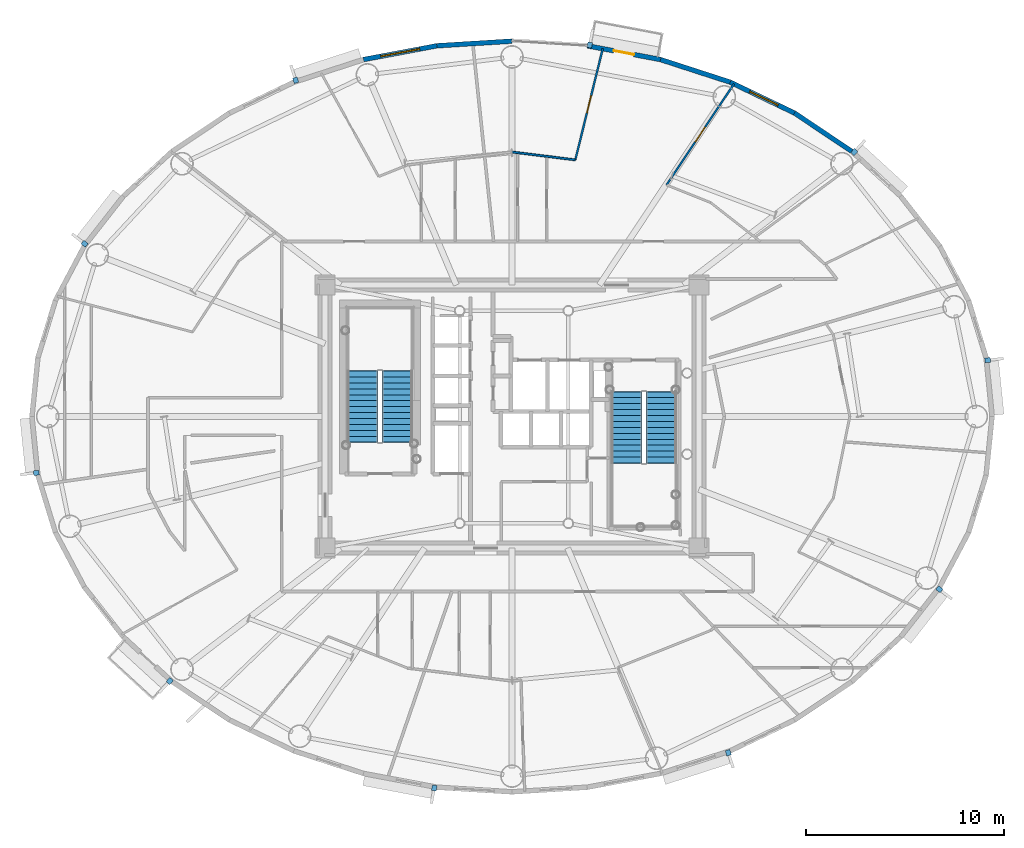
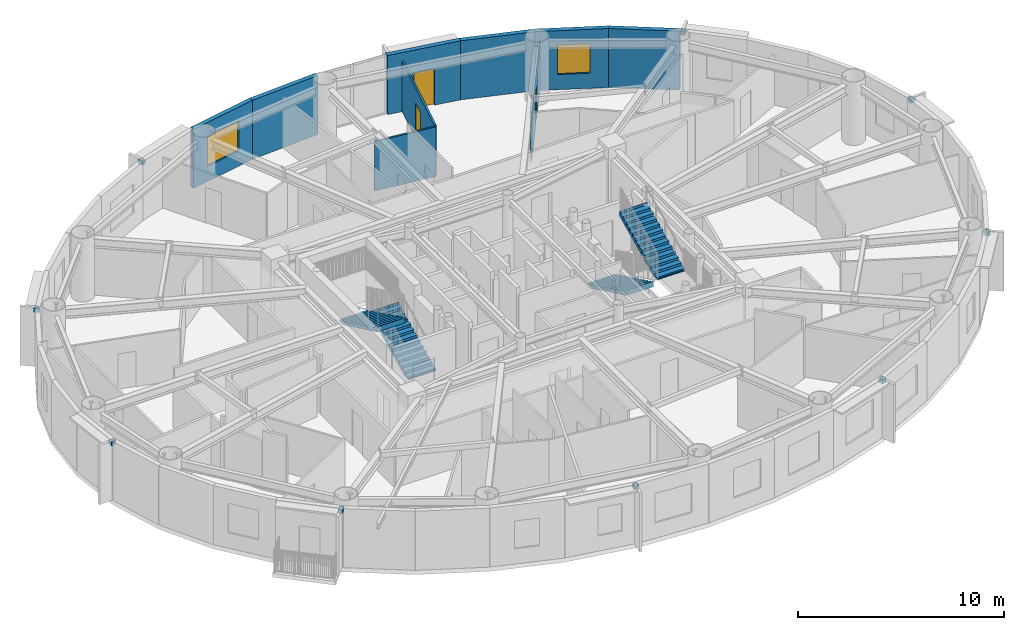
# One storey, part 13 of 20: 10 discrete accessories, 9 walls, 4 stair flights, 3 doors, 2 windows, 5 openings, 2 elements without a shape of their own.
"""IFC4 building model written with IfcOpenShell, lengths in metres."""

import ifcopenshell
import ifcopenshell.guid

model = None  # the IFC model being written
_history = None  # IfcOwnerHistory: only IFC2X3 demands one
_inside = {}  # id of a spatial element -> (the spatial element, [elements in it])
_under = {}  # id of a project, library or spatial element -> (it, [spatial elements below it])
_declared = {}  # id of a project -> (the project, [libraries it declares])
_typed = {}  # id of a type object -> (the type object, [elements of that type])
_made_of = {}  # id of a material, layer set ... -> (it, [elements and type objects made of it])


def new_model(schema):
    """Start an empty IFC model of exactly this schema.

    Asked for "IFC4X3", IfcOpenShell would pick the latest addendum, in which some entities
    have other attributes; the version numbers below select the first issue.
    IFC2X3 requires an IfcOwnerHistory on every rooted entity: one is made here for all.
    """
    global model, _history
    if schema == "IFC4X3":
        model = ifcopenshell.file(schema_version=(4, 3, 0, 0))
    else:
        model = ifcopenshell.file(schema=schema)
    _inside.clear()
    _under.clear()
    _declared.clear()
    _typed.clear()
    _made_of.clear()
    _history = None
    if model.schema == "IFC2X3":
        org = make("IfcOrganization", Name="unknown")
        user = make(
            "IfcPersonAndOrganization",
            ThePerson=make("IfcPerson", FamilyName="unknown"),
            TheOrganization=org,
        )
        app = make(
            "IfcApplication",
            ApplicationDeveloper=org,
            Version="unknown",
            ApplicationFullName="unknown",
            ApplicationIdentifier="unknown",
        )
        _history = make(
            "IfcOwnerHistory",
            OwningUser=user,
            OwningApplication=app,
            ChangeAction="ADDED",
            CreationDate=0,
        )
    return model


def make(cls, **values):
    """One entity of the class cls with the attributes given. An attribute that is None is left unset."""
    return model.create_entity(
        cls, **{name: value for name, value in values.items() if value is not None}
    )


def rooted(cls, **values):
    """An entity with a GlobalId (a new one), such as an element, a storey or a relation."""
    return make(cls, GlobalId=ifcopenshell.guid.new(), OwnerHistory=_history, **values)


def si_unit(unit_type, name, prefix=None):
    """IfcSIUnit, for example si_unit("LENGTHUNIT", "METRE", prefix="MILLI")."""
    return make("IfcSIUnit", UnitType=unit_type, Prefix=prefix, Name=name)


def assignment(units):
    """IfcUnitAssignment: the units of a project."""
    return None if units is None else make("IfcUnitAssignment", Units=units)


def point(xyz):
    """IfcCartesianPoint."""
    return None if xyz is None else make("IfcCartesianPoint", Coordinates=xyz)


def direction(xyz):
    """IfcDirection."""
    return None if xyz is None else make("IfcDirection", DirectionRatios=xyz)


def frame(location, z_axis=None, x_axis=None):
    """IfcAxis2Placement3D, a coordinate frame: its origin and axes. An axis left out is left unset."""
    return make(
        "IfcAxis2Placement3D",
        Location=point(location),
        Axis=direction(z_axis),
        RefDirection=direction(x_axis),
    )


def frame_2d(location, x_axis=None):
    """IfcAxis2Placement2D, a coordinate frame in the plane: its origin and x axis."""
    return make(
        "IfcAxis2Placement2D", Location=point(location), RefDirection=direction(x_axis)
    )


def origin():
    """The frame at (0, 0, 0) with its axes left unset."""
    return frame((0.0, 0.0, 0.0))


def origin_2d():
    """The frame at (0, 0) in the plane with its x axis left unset."""
    return frame_2d((0.0, 0.0))


def place(relative_to, where):
    """IfcLocalPlacement: puts the frame where relative to a parent placement (None: the world)."""
    return make(
        "IfcLocalPlacement", PlacementRelTo=relative_to, RelativePlacement=where
    )


def context(
    kind, dimensions, precision=None, world=None, true_north=None, identifier=None
):
    """IfcGeometricRepresentationContext, for example the 3D "Model" context."""
    return make(
        "IfcGeometricRepresentationContext",
        ContextIdentifier=identifier,
        ContextType=kind,
        CoordinateSpaceDimension=dimensions,
        Precision=precision,
        WorldCoordinateSystem=world,
        TrueNorth=true_north,
    )


def subcontext(parent, identifier, kind, view, scale=None):
    """IfcGeometricRepresentationSubContext, for example "Body" below "Model"."""
    return make(
        "IfcGeometricRepresentationSubContext",
        ContextIdentifier=identifier,
        ContextType=kind,
        ParentContext=parent,
        TargetScale=scale,
        TargetView=view,
    )


def project(units=None, contexts=None):
    """IfcProject with its units and contexts."""
    return rooted(
        "IfcProject",
        Name="project",
        RepresentationContexts=contexts,
        UnitsInContext=assignment(units),
    )


def spatial(cls, under=None, at=None, **own):
    """A site, building, storey or space (cls), placed at a placement, below another one or the project."""
    s = rooted(cls, ObjectPlacement=at, **own)
    if under is not None:
        _under.setdefault(under.id(), (under, []))[1].append(s)
    return s


def polyline(points):
    """IfcPolyline through the points."""
    return make("IfcPolyline", Points=[point(p) for p in points])


def profile(cls, at=None, kind="AREA", **sizes):
    """A parametric profile (cls). Its sizes go by their IFC names, for example OverallWidth=200.0."""
    return make(cls, ProfileType=kind, Position=at, **sizes)


def rectangle(**sizes):
    """IfcRectangleProfileDef."""
    return profile("IfcRectangleProfileDef", **sizes)


def outline(outer, holes=None, kind="AREA"):
    """IfcArbitraryClosedProfileDef: a profile drawn as a closed curve; with holes, ...WithVoids."""
    if holes is None:
        return make("IfcArbitraryClosedProfileDef", ProfileType=kind, OuterCurve=outer)
    return make(
        "IfcArbitraryProfileDefWithVoids",
        ProfileType=kind,
        OuterCurve=outer,
        InnerCurves=holes,
    )


def extrude(swept, where, along, depth):
    """IfcExtrudedAreaSolid: the profile swept, set in the frame where, extruded along a direction by depth."""
    return make(
        "IfcExtrudedAreaSolid",
        SweptArea=swept,
        Position=where,
        ExtrudedDirection=direction(along),
        Depth=depth,
    )


def shape(context_of_items, identifier, shape_type, items):
    """IfcShapeRepresentation: the items that make up one representation, for example the "Body"."""
    return make(
        "IfcShapeRepresentation",
        ContextOfItems=context_of_items,
        RepresentationIdentifier=identifier,
        RepresentationType=shape_type,
        Items=items,
    )


def source(mapping_origin, context_of_items, identifier, shape_type, items):
    """IfcRepresentationMap: a shape defined once, which mapped items show again and again."""
    return make(
        "IfcRepresentationMap",
        MappingOrigin=mapping_origin,
        MappedRepresentation=shape(context_of_items, identifier, shape_type, items),
    )


def transform(
    local_origin,
    x_axis=None,
    y_axis=None,
    z_axis=None,
    scale=None,
    scale2=None,
    scale3=None,
    uniform=True,
):
    """IfcCartesianTransformationOperator3D, or its non-uniform kind. x_axis, y_axis, z_axis: its Axis1, 2, 3."""
    if uniform:
        return make(
            "IfcCartesianTransformationOperator3D",
            Axis1=direction(x_axis),
            Axis2=direction(y_axis),
            LocalOrigin=point(local_origin),
            Scale=scale,
            Axis3=direction(z_axis),
        )
    return make(
        "IfcCartesianTransformationOperator3DnonUniform",
        Axis1=direction(x_axis),
        Axis2=direction(y_axis),
        LocalOrigin=point(local_origin),
        Scale=scale,
        Axis3=direction(z_axis),
        Scale2=scale2,
        Scale3=scale3,
    )


def mapped(mapping_source, mapping_target):
    """IfcMappedItem: shows the shape of a source again, moved by a transform."""
    return make(
        "IfcMappedItem", MappingSource=mapping_source, MappingTarget=mapping_target
    )


def material(Name=None, Category=None):
    """IfcMaterial."""
    return make("IfcMaterial", Name=Name, Category=Category)


def layer(
    of_material, thickness, ventilated=None, Name=None, Category=None, Priority=None
):
    """IfcMaterialLayer: one layer of a wall or slab, of a material (None: an air gap)."""
    return make(
        "IfcMaterialLayer",
        Material=of_material,
        LayerThickness=thickness,
        IsVentilated=ventilated,
        Name=Name,
        Category=Category,
        Priority=Priority,
    )


def layer_set(layers, Name=None):
    """IfcMaterialLayerSet."""
    return make("IfcMaterialLayerSet", MaterialLayers=layers, LayerSetName=Name)


def made_of(thing, what):
    """Note that an element or type object is made of a material, layer set ...; save() writes the relation."""
    if what is not None:
        _made_of.setdefault(what.id(), (what, []))[1].append(thing)
    return thing


def type_object(cls, material=None, **own):
    """A type object (cls), such as IfcWallType, which elements share."""
    return made_of(rooted(cls, **own), material)


def element(
    cls,
    number,
    at=None,
    inside=None,
    cuts=None,
    type_object=None,
    material=None,
    context=None,
    identifier="Body",
    shape_type=None,
    held_by="IfcProductDefinitionShape",
    body=None,
    shapes=None,
    **own,
):
    """One element of the class cls, such as IfcWall. Its Tag is "e" and its number.

    at: its placement. inside: the storey or other place that contains it. cuts: it is an
    opening in that element (IfcRelVoidsElement). A single representation is given by context,
    identifier, shape_type and body (its items); several are given by shapes. held_by: the class
    of the entity that holds the representations. save() writes the other relations.
    """
    e = rooted(cls, Tag="e%d" % number, ObjectPlacement=at, **own)
    if body is not None:
        shapes = [shape(context, identifier, shape_type, body)]
    if shapes is not None:
        e.Representation = make(held_by, Representations=shapes)
    if inside is not None:
        _inside.setdefault(inside.id(), (inside, []))[1].append(e)
    if cuts is not None:
        rooted(
            "IfcRelVoidsElement", RelatingBuildingElement=cuts, RelatedOpeningElement=e
        )
    if type_object is not None:
        _typed.setdefault(type_object.id(), (type_object, []))[1].append(e)
    return made_of(e, material)


def fill(opening, filler):
    """IfcRelFillsElement: the door or window that sits in an opening."""
    return rooted(
        "IfcRelFillsElement",
        RelatingOpeningElement=opening,
        RelatedBuildingElement=filler,
    )


def aggregate(whole, parts):
    """IfcRelAggregates: a whole, such as a stair, and the parts it consists of."""
    return rooted("IfcRelAggregates", RelatingObject=whole, RelatedObjects=parts)


def save(model, path):
    """Write the relations noted so far, then the file.

    IfcRelAggregates (storeys below a building ...), IfcRelContainedInSpatialStructure (elements
    in a storey), IfcRelDefinesByType, IfcRelAssociatesMaterial and IfcRelDeclares: one each for
    every whole, place, type object, material and project.
    """
    for whole, parts in _under.values():
        aggregate(whole, parts)
    for where, things in _inside.values():
        rooted(
            "IfcRelContainedInSpatialStructure",
            RelatedElements=things,
            RelatingStructure=where,
        )
    for kind, things in _typed.values():
        rooted("IfcRelDefinesByType", RelatedObjects=things, RelatingType=kind)
    for what, things in _made_of.values():
        rooted("IfcRelAssociatesMaterial", RelatedObjects=things, RelatingMaterial=what)
    for by, libraries in _declared.values():
        rooted("IfcRelDeclares", RelatingContext=by, RelatedDefinitions=libraries)
    model.write(path)


model = new_model("IFC4")

# Units and contexts
model_context = context("Model", 3, precision=1e-05, world=origin(), true_north=direction((0.0, 1.0)))
body_context = subcontext(model_context, "Body", "Model", "MODEL_VIEW")
ifc_project = project(units=[si_unit("LENGTHUNIT", "METRE"), si_unit("AREAUNIT", "SQUARE_METRE"), si_unit("VOLUMEUNIT", "CUBIC_METRE"), si_unit("PLANEANGLEUNIT", "RADIAN"), si_unit("MASSUNIT", "GRAM", prefix="KILO")], contexts=[model_context])

# Site, building, storey
site_placement = place(None, origin())
site = spatial("IfcSite", under=ifc_project, at=site_placement, CompositionType="ELEMENT")
building_placement = place(site_placement, origin())
building = spatial("IfcBuilding", under=site, at=building_placement, Name="Linh Dai School and Residence Tower", CompositionType="ELEMENT")
storey_placement = place(building_placement, frame((0.0, 0.0, 232.800048828125)))
storey = spatial("IfcBuildingStorey", under=building, at=storey_placement, Name="L57", CompositionType="ELEMENT", Elevation=232.800048828125)

# Wall
ifc_material_1 = material(Name="Precast Concrete B45 (C35/45)", Category="concrete")
ifc_layer_1 = layer(ifc_material_1, 0.239990234375)
ifc_layer_set_1 = layer_set([ifc_layer_1], Name="Precast Concrete B45 (C35/45)")
wall_type_1 = type_object("IfcWallType", Name="EW-TC-240", PredefinedType="SOLIDWALL", material=ifc_layer_set_1)
wall_1_placement = place(storey_placement, frame((50.280029296875, 42.34765625, 0.0), z_axis=(0.0, 0.0, 1.0), x_axis=(0.831262496074, -0.555880079352, 0.0)))
element("IfcWall", 1, at=wall_1_placement, inside=storey, type_object=wall_type_1, Name="L57 Terracotta Exterior Wall 06", PredefinedType="SOLIDWALL", context=body_context, shape_type="SweptSolid", body=[
    extrude(rectangle(XDim=3.484130859375, YDim=0.239990234375, at=frame_2d((1.7421875, 0.0))), origin(), (0.0, 0.0, 1.0), 3.5),
])

# Wall, opening, window
wall_2_placement = place(storey_placement, frame((47.031005859375, 43.906494140625, 0.0), z_axis=(0.0, 0.0, 1.0), x_axis=(0.901598104751, -0.432574684313, 0.0)))
wall_2 = element("IfcWall", 2, at=wall_2_placement, inside=storey, type_object=wall_type_1, Name="L57 Terracotta Exterior Wall 07", PredefinedType="SOLIDWALL", context=body_context, shape_type="SweptSolid", body=[
    extrude(rectangle(XDim=3.603515625, YDim=0.239990234375, at=frame_2d((1.8017578125, 0.0))), origin(), (0.0, 0.0, 1.0), 3.5),
])
opening_1_placement = place(wall_2_placement, frame((1.093994140625, 0.0, 0.89990234375)))
opening_1 = element("IfcOpeningElement", 3, at=opening_1_placement, cuts=wall_2, Name="Opening W2", PredefinedType="OPENING", context=body_context, shape_type="SweptSolid", body=[
    extrude(rectangle(XDim=1.60009765625, YDim=1.75, at=origin_2d()), frame((0.800048828125, 0.1298828125, 0.875), z_axis=(0.0, -1.0, 0.0), x_axis=(1.0, 0.0, 0.0)), (0.0, 0.0, 1.0), 0.260009765625),
])
ifc_material_2 = material(Name="Double Low-E Insulated Glazing", Category="glass")
window_type_1 = type_object("IfcWindowType", Name="WN-RES-1600x1750", PartitioningType="DOUBLE_PANEL_VERTICAL", PredefinedType="WINDOW", material=ifc_material_2)
shared_shape_1 = source(origin(), body_context, "Body", "SweptSolid", [
    extrude(rectangle(XDim=1.60009765625, YDim=1.75, at=origin_2d()), frame((0.800048828125, 0.030029296875, 0.875), z_axis=(0.0, -1.0, 0.0), x_axis=(1.0, 0.0, 0.0)), (0.0, 0.0, 1.0), 0.06005859375),
])
window_1_placement = place(opening_1_placement, origin())
window_1 = element("IfcWindow", 4, at=window_1_placement, inside=storey, type_object=window_type_1, Name="L57 Exterior Window 07.1", OverallHeight=1.75, OverallWidth=1.60009765625, PartitioningType="DOUBLE_PANEL_VERTICAL", PredefinedType="WINDOW", context=body_context, shape_type="MappedRepresentation", body=[
    mapped(shared_shape_1, transform((0.0, 0.0, 0.0), x_axis=(1.0, 0.0, 0.0), y_axis=(0.0, 1.0, 0.0), z_axis=(0.0, 0.0, 1.0), scale=1.0)),
])
fill(opening_1, window_1)

# Wall
wall_3_placement = place(storey_placement, frame((43.50927734375, 45.048828125, 0.0), z_axis=(0.0, 0.0, 1.0), x_axis=(0.951210789182, -0.308541787354, 0.0)))
element("IfcWall", 5, at=wall_3_placement, inside=storey, type_object=wall_type_1, Name="L57 Terracotta Exterior Wall 08", PredefinedType="SOLIDWALL", context=body_context, shape_type="SweptSolid", body=[
    extrude(rectangle(XDim=3.702392578125, YDim=0.239990234375, at=frame_2d((1.85107421875, 0.0))), origin(), (0.0, 0.0, 1.0), 3.5),
])

# Wall, opening, door
wall_4_placement = place(storey_placement, frame((39.801513671875, 45.745849609375, 0.0), z_axis=(0.0, 0.0, 1.0), x_axis=(0.982784898575, -0.184753465822, 0.0)))
wall_4 = element("IfcWall", 6, at=wall_4_placement, inside=storey, type_object=wall_type_1, Name="L57 Terracotta Exterior Wall 09", PredefinedType="SOLIDWALL", context=body_context, shape_type="SweptSolid", body=[
    extrude(rectangle(XDim=3.772705078125, YDim=0.239990234375, at=frame_2d((1.88623046875, 0.0))), origin(), (0.0, 0.0, 1.0), 3.5),
])
opening_2_placement = place(wall_4_placement, frame((1.361328125, 0.0, 0.0)))
opening_2 = element("IfcOpeningElement", 7, at=opening_2_placement, cuts=wall_4, Name="Opening BD1", PredefinedType="OPENING", context=body_context, shape_type="SweptSolid", body=[
    extrude(rectangle(XDim=1.050048828125, YDim=2.14990234375, at=origin_2d()), frame((0.52490234375, 0.1298828125, 1.074951171875), z_axis=(0.0, -1.0, 0.0), x_axis=(1.0, 0.0, 0.0)), (0.0, 0.0, 1.0), 0.260009765625),
])
ifc_material_3 = material(Name="Double-Glazed Balcony Door", Category="glass")
door_type_1 = type_object("IfcDoorType", Name="DR-BALC-1050x2150", OperationType="NOTDEFINED", PredefinedType="DOOR", material=ifc_material_3)
shared_shape_2 = source(origin(), body_context, "Body", "SweptSolid", [
    extrude(rectangle(XDim=1.050048828125, YDim=2.14990234375, at=origin_2d()), frame((0.52490234375, 0.02490234375, 1.074951171875), z_axis=(0.0, -1.0, 0.0), x_axis=(1.0, 0.0, 0.0)), (0.0, 0.0, 1.0), 0.050048828125),
])
door_1_placement = place(opening_2_placement, origin())
door_1 = element("IfcDoor", 8, at=door_1_placement, inside=storey, type_object=door_type_1, Name="L57 Glazed Balcony Door 09", OperationType="SINGLE_SWING_LEFT", OverallHeight=2.14990234375, OverallWidth=1.050048828125, PredefinedType="DOOR", context=body_context, shape_type="MappedRepresentation", body=[
    mapped(shared_shape_2, transform((0.0, 0.0, 0.0), x_axis=(1.0, 0.0, 0.0), y_axis=(0.0, 1.0, 0.0), z_axis=(0.0, 0.0, 1.0), scale=1.0)),
])
fill(opening_2, door_1)

# Wall
wall_5_placement = place(storey_placement, frame((32.198486328125, 45.745849609375, 0.0), z_axis=(0.0, 0.0, 1.0), x_axis=(0.998108785312, 0.06147237333, 0.0)))
element("IfcWall", 9, at=wall_5_placement, inside=storey, type_object=wall_type_1, Name="L57 Terracotta Exterior Wall 11", PredefinedType="SOLIDWALL", context=body_context, shape_type="SweptSolid", body=[
    extrude(rectangle(XDim=3.808837890625, YDim=0.239990234375, at=frame_2d((1.904296875, 0.0))), origin(), (0.0, 0.0, 1.0), 3.5),
])

# Wall, opening, window
wall_6_placement = place(storey_placement, frame((28.49072265625, 45.048828125, 0.0), z_axis=(0.0, 0.0, 1.0), x_axis=(0.982784898575, 0.184753465822, 0.0)))
wall_6 = element("IfcWall", 10, at=wall_6_placement, inside=storey, type_object=wall_type_1, Name="L57 Terracotta Exterior Wall 12", PredefinedType="SOLIDWALL", context=body_context, shape_type="SweptSolid", body=[
    extrude(rectangle(XDim=3.772705078125, YDim=0.239990234375, at=frame_2d((1.88623046875, 0.0))), origin(), (0.0, 0.0, 1.0), 3.5),
])
opening_3_placement = place(wall_6_placement, frame((0.88623046875, 0.0, 0.89990234375)))
opening_3 = element("IfcOpeningElement", 11, at=opening_3_placement, cuts=wall_6, Name="Opening W1", PredefinedType="OPENING", context=body_context, shape_type="SweptSolid", body=[
    extrude(rectangle(XDim=2.0, YDim=1.75, at=origin_2d()), frame((1.0, 0.1298828125, 0.875), z_axis=(0.0, -1.0, 0.0), x_axis=(1.0, 0.0, 0.0)), (0.0, 0.0, 1.0), 0.260009765625),
])
window_type_2 = type_object("IfcWindowType", Name="WN-RES-2000x1750", PartitioningType="DOUBLE_PANEL_VERTICAL", PredefinedType="WINDOW", material=ifc_material_2)
shared_shape_3 = source(origin(), body_context, "Body", "SweptSolid", [
    extrude(rectangle(XDim=2.0, YDim=1.75, at=origin_2d()), frame((1.0, 0.030029296875, 0.875), z_axis=(0.0, -1.0, 0.0), x_axis=(1.0, 0.0, 0.0)), (0.0, 0.0, 1.0), 0.06005859375),
])
window_2_placement = place(opening_3_placement, origin())
window_2 = element("IfcWindow", 12, at=window_2_placement, inside=storey, type_object=window_type_2, Name="L57 Exterior Window 12.1", OverallHeight=1.75, OverallWidth=2.0, PartitioningType="DOUBLE_PANEL_VERTICAL", PredefinedType="WINDOW", context=body_context, shape_type="MappedRepresentation", body=[
    mapped(shared_shape_3, transform((0.0, 0.0, 0.0), x_axis=(1.0, 0.0, 0.0), y_axis=(0.0, 1.0, 0.0), z_axis=(0.0, 0.0, 1.0), scale=1.0)),
])
fill(opening_3, window_2)

# Wall
ifc_material_4 = material(Name="Gypsum Plasterboard Acoustic Stud Partition", Category="masonry")
ifc_layer_2 = layer(ifc_material_4, 0.10009765625)
ifc_layer_set_2 = layer_set([ifc_layer_2], Name="Gypsum Plasterboard Acoustic Stud Partition")
wall_type_2 = type_object("IfcWallType", Name="IW-UNIT-100", PredefinedType="PARTITIONING", material=ifc_layer_set_2)
wall_7_placement = place(storey_placement, frame((36.0, 40.37353515625, 0.0), z_axis=(0.0, 0.0, 1.0), x_axis=(0.992398501838, -0.123065891091, 0.0)))
element("IfcWall", 13, at=wall_7_placement, inside=storey, type_object=wall_type_2, Name="L57 Interior Partition Wall 059", PredefinedType="PARTITIONING", context=body_context, shape_type="SweptSolid", body=[
    extrude(rectangle(XDim=3.2255859375, YDim=0.10009765625, at=frame_2d((1.61279296875, 0.0))), origin(), (0.0, 0.0, 1.0), 2.93505859375),
])

# Wall, opening, door
wall_8_placement = place(storey_placement, frame((39.201171875, 39.9765625, 0.0), z_axis=(0.0, 0.0, 1.0), x_axis=(0.239510975824, 0.970893656617, 0.0)))
wall_8 = element("IfcWall", 14, at=wall_8_placement, inside=storey, type_object=wall_type_2, Name="L57 Interior Partition Wall 066", PredefinedType="PARTITIONING", context=body_context, shape_type="SweptSolid", body=[
    extrude(rectangle(XDim=5.794921875, YDim=0.10009765625, at=frame_2d((2.8974609375, 0.0))), origin(), (0.0, 0.0, 1.0), 2.98486328125),
])
opening_4_placement = place(wall_8_placement, frame((2.447509765625, 0.0, 0.0)))
opening_4 = element("IfcOpeningElement", 15, at=opening_4_placement, cuts=wall_8, Name="Opening D05", PredefinedType="OPENING", context=body_context, shape_type="SweptSolid", body=[
    extrude(rectangle(XDim=0.89990234375, YDim=2.10009765625, at=origin_2d()), frame((0.449951171875, 0.06005859375, 1.050048828125), z_axis=(0.0, -1.0, 0.0), x_axis=(1.0, 0.0, 0.0)), (0.0, 0.0, 1.0), 0.1201171875),
])
ifc_material_5 = material(Name="Engineered Timber Internal Door", Category="wood")
door_type_2 = type_object("IfcDoorType", Name="DR-INT-900x2100", OperationType="NOTDEFINED", PredefinedType="DOOR", material=ifc_material_5)
shared_shape_4 = source(origin(), body_context, "Body", "SweptSolid", [
    extrude(rectangle(XDim=0.89990234375, YDim=2.10009765625, at=origin_2d()), frame((0.449951171875, 0.02490234375, 1.050048828125), z_axis=(0.0, -1.0, 0.0), x_axis=(1.0, 0.0, 0.0)), (0.0, 0.0, 1.0), 0.050048828125),
])
door_2_placement = place(opening_4_placement, origin())
door_2 = element("IfcDoor", 16, at=door_2_placement, inside=storey, type_object=door_type_2, Name="L57 Apartment U5706 Bedroom 3 Door", OperationType="SINGLE_SWING_LEFT", OverallHeight=2.10009765625, OverallWidth=0.89990234375, PredefinedType="DOOR", context=body_context, shape_type="MappedRepresentation", body=[
    mapped(shared_shape_4, transform((0.0, 0.0, 0.0), x_axis=(1.0, 0.0, 0.0), y_axis=(0.0, 1.0, 0.0), z_axis=(0.0, 0.0, 1.0), scale=1.0)),
])
fill(opening_4, door_2)

wall_9_placement = place(storey_placement, frame((43.8125, 38.707763671875, 0.0), z_axis=(0.0, 0.0, 1.0), x_axis=(0.555094340213, 0.831787396793, 0.0)))
wall_9 = element("IfcWall", 17, at=wall_9_placement, inside=storey, type_object=wall_type_2, Name="L57 Interior Partition Wall 076", PredefinedType="PARTITIONING", context=body_context, shape_type="SweptSolid", body=[
    extrude(rectangle(XDim=6.1455078125, YDim=0.10009765625, at=frame_2d((3.07275390625, 0.0))), origin(), (0.0, 0.0, 1.0), 2.93505859375),
])
opening_5_placement = place(wall_9_placement, frame((2.622802734375, 0.0, 0.0)))
opening_5 = element("IfcOpeningElement", 18, at=opening_5_placement, cuts=wall_9, Name="Opening D05", PredefinedType="OPENING", context=body_context, shape_type="SweptSolid", body=[
    extrude(rectangle(XDim=0.89990234375, YDim=2.10009765625, at=origin_2d()), frame((0.449951171875, 0.06005859375, 1.050048828125), z_axis=(0.0, -1.0, 0.0), x_axis=(1.0, 0.0, 0.0)), (0.0, 0.0, 1.0), 0.1201171875),
])
door_3_placement = place(opening_5_placement, origin())
door_3 = element("IfcDoor", 19, at=door_3_placement, inside=storey, type_object=door_type_2, Name="L57 Apartment U5706 Principal Bedroom 2 Door", OperationType="SINGLE_SWING_RIGHT", OverallHeight=2.10009765625, OverallWidth=0.89990234375, PredefinedType="DOOR", context=body_context, shape_type="MappedRepresentation", body=[
    mapped(shared_shape_4, transform((0.0, 0.0, 0.0), x_axis=(1.0, 0.0, 0.0), y_axis=(0.0, 1.0, 0.0), z_axis=(0.0, 0.0, 1.0), scale=1.0)),
])
fill(opening_5, door_3)

# Stair, stair flights
ifc_material_6 = material(Name="Concrete B45 (C35/45)", Category="concrete")
stair_type = type_object("IfcStairType", Name="ST-DOG-1550-R1442", PredefinedType="HALF_TURN_STAIR", material=ifc_material_6)
stair_1_placement = place(storey_placement, origin())
stair_1 = element("IfcStair", 20, at=stair_1_placement, inside=storey, type_object=stair_type, Name="L57 Core Smokeproof Exit Stair ST1", PredefinedType="HALF_TURN_STAIR")
stair_flight_type = type_object("IfcStairFlightType", Name="STF-STR-1550-R1442", PredefinedType="STRAIGHT", material=ifc_material_6)
shared_shape_5 = source(origin(), body_context, "Body", "SweptSolid", [
    extrude(outline(polyline([(-0.02490234375, 0.0), (-0.02490234375, 0.06005859375), (0.0, 0.06005859375), (0.0, 0.144287109375), (0.300048828125, 0.144287109375), (0.300048828125, 0.28857421875), (0.60009765625, 0.28857421875), (0.60009765625, 0.4326171875), (0.89990234375, 0.4326171875), (0.89990234375, 0.576904296875), (1.199951171875, 0.576904296875), (1.199951171875, 0.72119140625), (1.5, 0.72119140625), (1.5, 0.865478515625), (1.800048828125, 0.865478515625), (1.800048828125, 1.009521484375), (2.10009765625, 1.009521484375), (2.10009765625, 1.15380859375), (2.39990234375, 1.15380859375), (2.39990234375, 1.298095703125), (2.699951171875, 1.298095703125), (2.699951171875, 1.4423828125), (3.0, 1.4423828125), (3.0, 1.58642578125), (3.300048828125, 1.58642578125), (3.300048828125, 1.730712890625), (3.60009765625, 1.730712890625), (3.60009765625, 1.875), (3.625, 1.875), (3.625, 1.564453125), (3.60009765625, 1.564453125), (0.345947265625, 0.0), (-0.02490234375, 0.0)])), frame((0.0, 0.77490234375, 0.0), z_axis=(0.0, -1.0, 0.0), x_axis=(1.0, 0.0, 0.0)), (0.0, 0.0, 1.0), 1.550048828125),
])
stair_flight_1_placement = place(storey_placement, frame((30.205078125, 25.699951171875, 0.0), z_axis=(0.0, 0.0, 1.0), x_axis=(0.0, 1.0, 0.0)))
stair_flight_1 = element("IfcStairFlight", 21, at=stair_flight_1_placement, type_object=stair_flight_type, Name="ST1 flight 1", NumberOfRisers=13, NumberOfTreads=12, PredefinedType="STRAIGHT", RiserHeight=0.144230769, TreadLength=0.3, context=body_context, shape_type="MappedRepresentation", body=[
    mapped(shared_shape_5, transform((0.0, 0.0, 0.0), x_axis=(1.0, 0.0, 0.0), y_axis=(0.0, 1.0, 0.0), z_axis=(0.0, 0.0, 1.0), scale=1.0)),
])
stair_flight_2_placement = place(storey_placement, frame((28.455078125, 29.300048828125, 1.875), z_axis=(0.0, 0.0, 1.0), x_axis=(0.0, -1.0, 0.0)))
stair_flight_2 = element("IfcStairFlight", 22, at=stair_flight_2_placement, type_object=stair_flight_type, Name="ST1 flight 2", NumberOfRisers=13, NumberOfTreads=12, PredefinedType="STRAIGHT", RiserHeight=0.144230769, TreadLength=0.3, context=body_context, shape_type="MappedRepresentation", body=[
    mapped(shared_shape_5, transform((0.0, 0.0, 0.0), x_axis=(1.0, 0.0, 0.0), y_axis=(0.0, 1.0, 0.0), z_axis=(0.0, 0.0, 1.0), scale=1.0)),
])
aggregate(stair_1, [stair_flight_1, stair_flight_2])

stair_2_placement = place(storey_placement, origin())
stair_2 = element("IfcStair", 23, at=stair_2_placement, inside=storey, type_object=stair_type, Name="L57 Core Smokeproof Exit Stair ST2", PredefinedType="HALF_TURN_STAIR")
stair_flight_3_placement = place(storey_placement, frame((41.794921875, 28.25, 0.0), z_axis=(0.0, 0.0, 1.0), x_axis=(0.0, -1.0, 0.0)))
stair_flight_3 = element("IfcStairFlight", 24, at=stair_flight_3_placement, type_object=stair_flight_type, Name="ST2 flight 1", NumberOfRisers=13, NumberOfTreads=12, PredefinedType="STRAIGHT", RiserHeight=0.144230769, TreadLength=0.3, context=body_context, shape_type="MappedRepresentation", body=[
    mapped(shared_shape_5, transform((0.0, 0.0, 0.0), x_axis=(1.0, 0.0, 0.0), y_axis=(0.0, 1.0, 0.0), z_axis=(0.0, 0.0, 1.0), scale=1.0)),
])
stair_flight_4_placement = place(storey_placement, frame((43.544921875, 24.64990234375, 1.875), z_axis=(0.0, 0.0, 1.0), x_axis=(0.0, 1.0, 0.0)))
stair_flight_4 = element("IfcStairFlight", 25, at=stair_flight_4_placement, type_object=stair_flight_type, Name="ST2 flight 2", NumberOfRisers=13, NumberOfTreads=12, PredefinedType="STRAIGHT", RiserHeight=0.144230769, TreadLength=0.3, context=body_context, shape_type="MappedRepresentation", body=[
    mapped(shared_shape_5, transform((0.0, 0.0, 0.0), x_axis=(1.0, 0.0, 0.0), y_axis=(0.0, 1.0, 0.0), z_axis=(0.0, 0.0, 1.0), scale=1.0)),
])
aggregate(stair_2, [stair_flight_3, stair_flight_4])

# Discrete accessories
ifc_material_7 = material(Name="Structural Steel S355JR", Category="steel")
discrete_accessory_type = type_object("IfcDiscreteAccessoryType", Name="ACC-BRK-S355", PredefinedType="BRACKET", material=ifc_material_7)
shared_shape_6 = source(origin(), body_context, "Body", "SweptSolid", [
    extrude(rectangle(XDim=0.280029296875, YDim=0.239990234375, at=origin_2d()), origin(), (0.0, 0.0, 1.0), 0.219970703125),
])
for number, where, z_axis, x_axis, name in (
    (26, (60.048828125, 29.8505859375, 3.25), (0.0, 0.0, 1.0), (0.99498620644, 0.100012244219, 0.0), "L57 Facade Frame Anchor Bracket 01"),
    (27, (53.305419921875, 40.3740234375, 3.25), (0.0, 0.0, 1.0), (0.675757574408, 0.737123938446, 0.0), "L57 Facade Frame Anchor Bracket 05"),
    (28, (39.9306640625, 45.782470703125, 3.25), (0.0, 0.0, 1.0), (0.18474448537, 0.982786586765, 0.0), "L57 Facade Frame Anchor Bracket 09"),
    (29, (25.064697265625, 44.000732421875, 3.25), (0.0, 0.0, 1.0), (-0.308501065272, 0.951223997135, 0.0), "L57 Facade Frame Anchor Bracket 13"),
    (30, (14.390869140625, 35.73681640625, 3.25), (0.0, 0.0, 1.0), (-0.787486677066, 0.616331674867, 0.0), "L57 Facade Frame Anchor Bracket 17"),
    (31, (11.951171875, 24.1494140625, 3.25), (0.0, 0.0, 1.0), (-0.99498620644, -0.100012244219, 0.0), "L57 Facade Frame Anchor Bracket 21"),
    (32, (18.694580078125, 13.6259765625, 3.25), (0.0, 0.0, 1.0), (-0.675756089102, -0.737125300096, 0.0), "L57 Facade Frame Anchor Bracket 25"),
    (33, (32.0693359375, 8.217529296875, 3.25), (0.0, 0.0, 1.0), (-0.18474448537, -0.982786586765, 0.0), "L57 Facade Frame Anchor Bracket 29"),
    (34, (46.935302734375, 9.999267578125, 3.25), (0.0, 0.0, 1.0), (0.308501065272, -0.951223997135, 0.0), "L57 Facade Frame Anchor Bracket 33"),
    (35, (57.609130859375, 18.26318359375, 3.25), (0.0, 0.0, 1.0), (0.787485171888, -0.616333598027, 0.0), "L57 Facade Frame Anchor Bracket 37"),
):
    element("IfcDiscreteAccessory", number, at=place(storey_placement, frame(where, z_axis=z_axis, x_axis=x_axis)), inside=storey, type_object=discrete_accessory_type, Name=name, PredefinedType="BRACKET", context=body_context, shape_type="MappedRepresentation", body=[
        mapped(shared_shape_6, transform((0.0, 0.0, 0.0), x_axis=(1.0, 0.0, 0.0), y_axis=(0.0, 1.0, 0.0), z_axis=(0.0, 0.0, 1.0), scale=1.0)),
    ])

save(model, "model.ifc")
